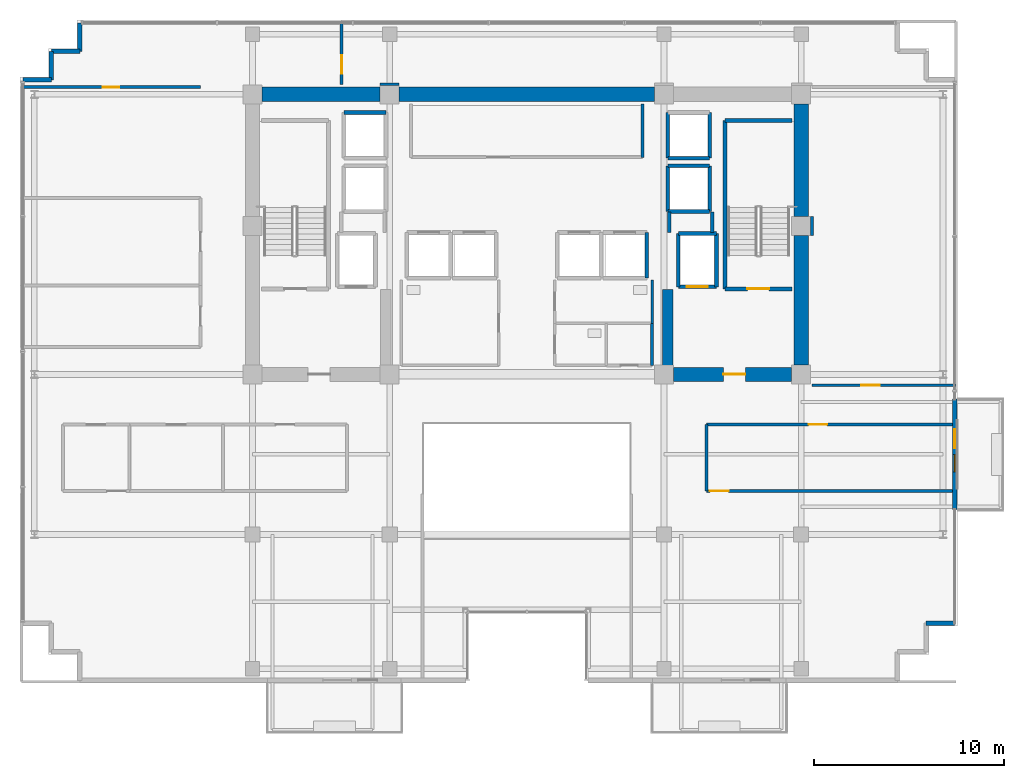
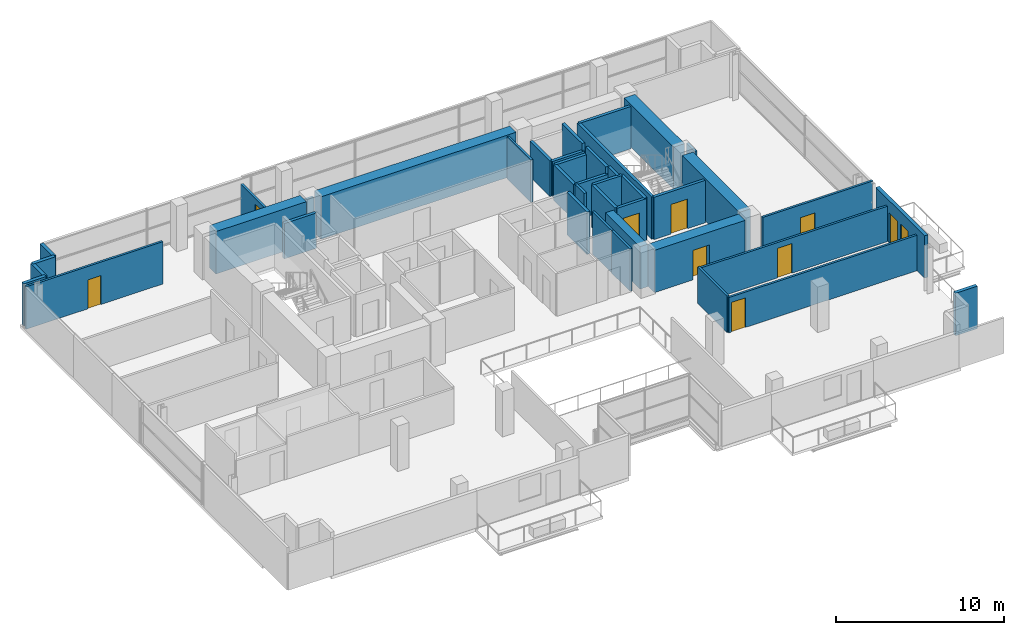
# One storey, part 20 of 25: 41 walls, 9 doors, 1 window, 10 openings.
"""IFC4 building model written with IfcOpenShell, lengths in metres."""

from ifc_helpers import new_model, si_unit, direction, frame, frame_2d, origin, place, context, subcontext, project, spatial, rectangle, extrude, source, transform, mapped, material, layer, layer_set, type_object, element, fill, save


model = new_model("IFC4")

# Units and contexts
model_context = context("Model", 3, precision=1e-05, world=origin(), true_north=direction((0.0, 1.0)))
body_context = subcontext(model_context, "Body", "Model", "MODEL_VIEW")
ifc_project = project(units=[si_unit("LENGTHUNIT", "METRE"), si_unit("AREAUNIT", "SQUARE_METRE"), si_unit("VOLUMEUNIT", "CUBIC_METRE"), si_unit("PLANEANGLEUNIT", "RADIAN"), si_unit("MASSUNIT", "GRAM", prefix="KILO")], contexts=[model_context])

# Site, building, storey
site_placement = place(None, origin())
site = spatial("IfcSite", under=ifc_project, at=site_placement, CompositionType="ELEMENT")
building_placement = place(site_placement, origin())
building = spatial("IfcBuilding", under=site, at=building_placement, Name="Zarnakvel Exchange Tower", CompositionType="ELEMENT")
storey_placement = place(building_placement, frame((0.0, 0.0, 169.300048828125)))
storey = spatial("IfcBuildingStorey", under=building, at=storey_placement, Name="L47", CompositionType="ELEMENT", Elevation=169.300048828125)

# Walls
ifc_material_1 = material(Name="Concrete C60/75", Category="concrete")
ifc_layer_1 = layer(ifc_material_1, 0.75)
ifc_layer_set_1 = layer_set([ifc_layer_1], Name="Concrete C60/75")
wall_type_1 = type_object("IfcWallType", Name="CW-C3", PredefinedType="SHEAR", material=ifc_layer_set_1)
wall_1_placement = place(storey_placement, frame((-13.89990234375, 13.5, 0.0), z_axis=(0.0, 0.0, 1.0), x_axis=(1.0, 0.0, 0.0)))
element("IfcWall", 1, at=wall_1_placement, inside=storey, type_object=wall_type_1, Name="L47 Rear Core Shear Wall N1 (CW-C3)", PredefinedType="SHEAR", context=body_context, shape_type="SweptSolid", body=[
    extrude(rectangle(XDim=6.199951171875, YDim=0.75, at=frame_2d((3.10009765625, 0.0))), origin(), (0.0, 0.0, 1.0), 3.074951171875),
])
wall_2_placement = place(storey_placement, frame((-6.699951171875, 13.5, 0.0), z_axis=(0.0, 0.0, 1.0), x_axis=(1.0, 0.0, 0.0)))
element("IfcWall", 2, at=wall_2_placement, inside=storey, type_object=wall_type_1, Name="L47 Rear Core Shear Wall N2 (CW-C3)", PredefinedType="SHEAR", context=body_context, shape_type="SweptSolid", body=[
    extrude(rectangle(XDim=13.39990234375, YDim=0.75, at=frame_2d((6.699951171875, 0.0))), origin(), (0.0, 0.0, 1.0), 3.074951171875),
])
wall_3_placement = place(storey_placement, frame((14.39990234375, -0.699951171875, 0.0), z_axis=(0.0, 0.0, 1.0), x_axis=(0.0, 1.0, 0.0)))
element("IfcWall", 3, at=wall_3_placement, inside=storey, type_object=wall_type_1, Name="L47 Rear Core Shear Wall E1 (CW-C3)", PredefinedType="SHEAR", context=body_context, shape_type="SweptSolid", body=[
    extrude(rectangle(XDim=6.800048828125, YDim=0.75, at=frame_2d((3.39990234375, 0.0))), origin(), (0.0, 0.0, 1.0), 3.074951171875),
])
wall_4_placement = place(storey_placement, frame((14.39990234375, 7.10009765625, 0.0), z_axis=(0.0, 0.0, 1.0), x_axis=(0.0, 1.0, 0.0)))
element("IfcWall", 4, at=wall_4_placement, inside=storey, type_object=wall_type_1, Name="L47 Rear Core Shear Wall E2 (CW-C3)", PredefinedType="SHEAR", context=body_context, shape_type="SweptSolid", body=[
    extrude(rectangle(XDim=5.89990234375, YDim=0.75, at=frame_2d((2.949951171875, 0.0))), origin(), (0.0, 0.0, 1.0), 3.074951171875),
])

# Wall, opening, door
wall_5_placement = place(storey_placement, frame((13.89990234375, -1.199951171875, 0.0), z_axis=(0.0, 0.0, 1.0), x_axis=(-1.0, 0.0, 0.0)))
wall_5 = element("IfcWall", 5, at=wall_5_placement, inside=storey, type_object=wall_type_1, Name="L47 Rear Core Shear Wall SE (CW-C3)", PredefinedType="SHEAR", context=body_context, shape_type="SweptSolid", body=[
    extrude(rectangle(XDim=6.199951171875, YDim=0.75, at=frame_2d((3.10009765625, 0.0))), origin(), (0.0, 0.0, 1.0), 3.074951171875),
])
opening_1_placement = place(wall_5_placement, frame((2.425048828125, 0.0, 0.0)))
opening_1 = element("IfcOpeningElement", 6, at=opening_1_placement, cuts=wall_5, Name="Opening D-L47-04", PredefinedType="OPENING", context=body_context, shape_type="SweptSolid", body=[
    extrude(rectangle(XDim=1.14990234375, YDim=2.14990234375, at=frame_2d((0.574951171875, 1.074951171875))), frame((0.0, 0.385009765625, 0.0), z_axis=(0.0, -1.0, 0.0), x_axis=(1.0, 0.0, 0.0)), (0.0, 0.0, 1.0), 0.77001953125),
])
ifc_material_2 = material(Name="Painted Galvanised Steel S355", Category="steel")
door_type_1 = type_object("IfcDoorType", Name="DT-04", OperationType="NOTDEFINED", PredefinedType="DOOR", material=ifc_material_2)
shared_shape_1 = source(origin(), body_context, "Body", "SweptSolid", [
    extrude(rectangle(XDim=1.14990234375, YDim=2.14990234375, at=frame_2d((0.574951171875, 1.074951171875))), frame((0.0, 0.02490234375, 0.0), z_axis=(0.0, -1.0, 0.0), x_axis=(1.0, 0.0, 0.0)), (0.0, 0.0, 1.0), 0.050048828125),
])
door_1_placement = place(opening_1_placement, origin())
door_1 = element("IfcDoor", 7, at=door_1_placement, inside=storey, type_object=door_type_1, Name="L47 Firefighting Lobby East Door D-L47-04", OperationType="SINGLE_SWING_LEFT", OverallHeight=2.14990234375, OverallWidth=1.14990234375, PredefinedType="DOOR", context=body_context, shape_type="MappedRepresentation", body=[
    mapped(shared_shape_1, transform((0.0, 0.0, 0.0), x_axis=(1.0, 0.0, 0.0), y_axis=(0.0, 1.0, 0.0), z_axis=(0.0, 0.0, 1.0), scale=1.0)),
])
fill(opening_1, door_1)

# Wall
ifc_layer_2 = layer(ifc_material_1, 0.550048828125)
ifc_layer_set_2 = layer_set([ifc_layer_2], Name="Concrete C60/75")
wall_type_2 = type_object("IfcWallType", Name="CW-C4", PredefinedType="SHEAR", material=ifc_layer_set_2)
wall_6_placement = place(storey_placement, frame((7.39990234375, -0.824951171875, 0.0), z_axis=(0.0, 0.0, 1.0), x_axis=(0.0, 1.0, 0.0)))
element("IfcWall", 8, at=wall_6_placement, inside=storey, type_object=wall_type_2, Name="L47 Rear Core Shear Wall IE (CW-C4)", PredefinedType="SHEAR", context=body_context, shape_type="SweptSolid", body=[
    extrude(rectangle(XDim=4.074951171875, YDim=0.550048828125, at=frame_2d((2.03759765625, 0.0))), origin(), (0.0, 0.0, 1.0), 3.074951171875),
])

# Wall, openings, door, window
ifc_material_3 = material(Name="Precast concrete C40/50", Category="concrete")
ifc_layer_3 = layer(ifc_material_3, 0.239990234375)
ifc_layer_set_3 = layer_set([ifc_layer_3], Name="Precast concrete C40/50")
wall_type_3 = type_object("IfcWallType", Name="EW-02", PredefinedType="SOLIDWALL", material=ifc_layer_set_3)
wall_7_placement = place(storey_placement, frame((22.4599609375, -2.5, 0.0), z_axis=(0.0, 0.0, 1.0), x_axis=(0.0, -1.0, 0.0)))
wall_7 = element("IfcWall", 9, at=wall_7_placement, inside=storey, type_object=wall_type_3, Name="L47 Exterior Precast Spandrel Wall EW-BAL-L47-E (EW-02)", PredefinedType="SOLIDWALL", context=body_context, shape_type="SweptSolid", body=[
    extrude(rectangle(XDim=5.800048828125, YDim=0.239990234375, at=frame_2d((2.89990234375, 0.0))), origin(), (0.0, 0.0, 1.0), 3.074951171875),
])
opening_2_placement = place(wall_7_placement, frame((1.56591796875, 0.0, 0.0)))
opening_2 = element("IfcOpeningElement", 10, at=opening_2_placement, cuts=wall_7, Name="Opening BD-L47-03", PredefinedType="OPENING", context=body_context, shape_type="SweptSolid", body=[
    extrude(rectangle(XDim=1.0, YDim=2.199951171875, at=frame_2d((0.5, 1.10009765625))), frame((0.0, 0.1298828125, 0.0), z_axis=(0.0, -1.0, 0.0), x_axis=(1.0, 0.0, 0.0)), (0.0, 0.0, 1.0), 0.260009765625),
])
opening_3_placement = place(wall_7_placement, frame((2.916015625, 0.0, 0.85009765625)))
opening_3 = element("IfcOpeningElement", 11, at=opening_3_placement, cuts=wall_7, Name="Opening WN-06", PredefinedType="OPENING", context=body_context, shape_type="SweptSolid", body=[
    extrude(rectangle(XDim=0.89990234375, YDim=1.35009765625, at=frame_2d((0.449951171875, 0.675048828125))), frame((0.0, 0.1298828125, 0.0), z_axis=(0.0, -1.0, 0.0), x_axis=(1.0, 0.0, 0.0)), (0.0, 0.0, 1.0), 0.260009765625),
])
ifc_material_4 = material(Name="Architectural Bronze Anodised Aluminium", Category="aluminium")
door_type_2 = type_object("IfcDoorType", Name="DT-09", OperationType="NOTDEFINED", PredefinedType="DOOR", material=ifc_material_4)
shared_shape_2 = source(origin(), body_context, "Body", "SweptSolid", [
    extrude(rectangle(XDim=1.0, YDim=2.199951171875, at=frame_2d((0.5, 1.10009765625))), frame((0.0, 0.02490234375, 0.0), z_axis=(0.0, -1.0, 0.0), x_axis=(1.0, 0.0, 0.0)), (0.0, 0.0, 1.0), 0.050048828125),
])
door_2_placement = place(opening_2_placement, origin())
door_2 = element("IfcDoor", 12, at=door_2_placement, inside=storey, type_object=door_type_2, Name="L47 Planted Loggia Balcony Door BD-L47-03", OperationType="SINGLE_SWING_LEFT", OverallHeight=2.199951171875, OverallWidth=1.0, PredefinedType="DOOR", context=body_context, shape_type="MappedRepresentation", body=[
    mapped(shared_shape_2, transform((0.0, 0.0, 0.0), x_axis=(1.0, 0.0, 0.0), y_axis=(0.0, 1.0, 0.0), z_axis=(0.0, 0.0, 1.0), scale=1.0)),
])
fill(opening_2, door_2)
ifc_material_5 = material(Name="Double Low-E Laminated Vision Glass", Category="glass")
window_type = type_object("IfcWindowType", Name="WN-06", PartitioningType="SINGLE_PANEL", PredefinedType="WINDOW", material=ifc_material_5)
shared_shape_3 = source(origin(), body_context, "Body", "SweptSolid", [
    extrude(rectangle(XDim=0.89990234375, YDim=1.35009765625, at=frame_2d((0.449951171875, 0.675048828125))), frame((0.0, 0.030029296875, 0.0), z_axis=(0.0, -1.0, 0.0), x_axis=(1.0, 0.0, 0.0)), (0.0, 0.0, 1.0), 0.06005859375),
])
window_placement = place(opening_3_placement, origin())
window = element("IfcWindow", 13, at=window_placement, inside=storey, type_object=window_type, Name="L47 Loggia Daylight Window (WN-06)", OverallHeight=1.35009765625, OverallWidth=0.89990234375, PartitioningType="SINGLE_PANEL", PredefinedType="WINDOW", context=body_context, shape_type="MappedRepresentation", body=[
    mapped(shared_shape_3, transform((0.0, 0.0, 0.0), x_axis=(1.0, 0.0, 0.0), y_axis=(0.0, 1.0, 0.0), z_axis=(0.0, 0.0, 1.0), scale=1.0)),
])
fill(opening_3, window)

# Walls
for number, where, z_axis, x_axis, name in (
    (14, (-24.9599609375, 14.260009765625, 0.0), (0.0, 0.0, 1.0), (-1.0, 0.0, 0.0), "L47 Exterior Precast Spandrel Wall EWC-L47-01 (EW-02)"),
    (15, (-24.9599609375, 15.760009765625, 0.0), (0.0, 0.0, 1.0), (0.0, -1.0, 0.0), "L47 Exterior Precast Spandrel Wall EWC-L47-02 (EW-02)"),
    (16, (-23.4599609375, 15.760009765625, 0.0), (0.0, 0.0, 1.0), (-1.0, 0.0, 0.0), "L47 Exterior Precast Spandrel Wall EWC-L47-03 (EW-02)"),
    (17, (-23.4599609375, 17.260009765625, 0.0), (0.0, 0.0, 1.0), (0.0, -1.0, 0.0), "L47 Exterior Precast Spandrel Wall EWC-L47-04 (EW-02)"),
    (18, (20.9599609375, -14.260009765625, 0.0), (0.0, 0.0, 1.0), (1.0, 0.0, 0.0), "L47 Exterior Precast Spandrel Wall EWC-L47-11 (EW-02)"),
):
    element("IfcWall", number, at=place(storey_placement, frame(where, z_axis=z_axis, x_axis=x_axis)), inside=storey, type_object=wall_type_3, Name=name, PredefinedType="SOLIDWALL", context=body_context, shape_type="SweptSolid", body=[
        extrude(rectangle(XDim=1.5, YDim=0.239990234375, at=frame_2d((0.75, 0.0))), origin(), (0.0, 0.0, 1.0), 3.074951171875),
    ])
ifc_material_6 = material(Name="Fire-Rated Gypsum Stud Partition", Category="gypsum")
ifc_layer_4 = layer(ifc_material_6, 0.14990234375)
ifc_layer_set_4 = layer_set([ifc_layer_4], Name="Fire-Rated Gypsum Stud Partition")
wall_type_4 = type_object("IfcWallType", Name="PT-01", PredefinedType="PARTITIONING", material=ifc_layer_set_4)
wall_8_placement = place(storey_placement, frame((6.080078125, 13.0, 0.0), z_axis=(0.0, 0.0, 1.0), x_axis=(0.0, -1.0, 0.0)))
element("IfcWall", 19, at=wall_8_placement, inside=storey, type_object=wall_type_4, Name="L47 Partition Wall PWALL-L47-013 (PT-01)", PredefinedType="PARTITIONING", context=body_context, shape_type="SweptSolid", body=[
    extrude(rectangle(XDim=2.800048828125, YDim=0.14990234375, at=frame_2d((1.39990234375, 0.0))), origin(), (0.0, 0.0, 1.0), 3.074951171875),
])
wall_9_placement = place(storey_placement, frame((6.580078125, 1.47998046875, 0.0), z_axis=(0.0, 0.0, 1.0), x_axis=(0.0, -1.0, 0.0)))
element("IfcWall", 20, at=wall_9_placement, inside=storey, type_object=wall_type_4, Name="L47 Partition Wall PWALL-L47-024 (PT-01)", PredefinedType="PARTITIONING", context=body_context, shape_type="SweptSolid", body=[
    extrude(rectangle(XDim=2.2099609375, YDim=0.14990234375, at=frame_2d((1.10498046875, 0.0))), origin(), (0.0, 0.0, 1.0), 3.074951171875),
])

# Wall, opening, door
wall_10_placement = place(storey_placement, frame((22.530029296875, -7.320068359375, 0.0), z_axis=(0.0, 0.0, 1.0), x_axis=(-1.0, 0.0, 0.0)))
wall_10 = element("IfcWall", 21, at=wall_10_placement, inside=storey, type_object=wall_type_4, Name="L47 Partition Wall PWALL-L47-038 (PT-01)", PredefinedType="PARTITIONING", context=body_context, shape_type="SweptSolid", body=[
    extrude(rectangle(XDim=13.10009765625, YDim=0.14990234375, at=frame_2d((6.550048828125, 0.0))), origin(), (0.0, 0.0, 1.0), 2.56494140625),
])
opening_4_placement = place(wall_10_placement, frame((11.93994140625, 0.0, 0.0)))
opening_4 = element("IfcOpeningElement", 22, at=opening_4_placement, cuts=wall_10, Name="Opening D-L47-15", PredefinedType="OPENING", context=body_context, shape_type="SweptSolid", body=[
    extrude(rectangle(XDim=0.97998046875, YDim=2.14990234375, at=frame_2d((0.489990234375, 1.074951171875))), frame((0.0, 0.0849609375, 0.0), z_axis=(0.0, -1.0, 0.0), x_axis=(1.0, 0.0, 0.0)), (0.0, 0.0, 1.0), 0.169921875),
])
ifc_material_7 = material(Name="Timber Acoustic Veneer", Category="wood")
door_type_3 = type_object("IfcDoorType", Name="DT-05", OperationType="NOTDEFINED", PredefinedType="DOOR", material=ifc_material_7)
shared_shape_4 = source(origin(), body_context, "Body", "SweptSolid", [
    extrude(rectangle(XDim=0.97998046875, YDim=2.14990234375, at=frame_2d((0.489990234375, 1.074951171875))), frame((0.0, 0.02490234375, 0.0), z_axis=(0.0, -1.0, 0.0), x_axis=(1.0, 0.0, 0.0)), (0.0, 0.0, 1.0), 0.050048828125),
])
door_3_placement = place(opening_4_placement, origin())
door_3 = element("IfcDoor", 23, at=door_3_placement, inside=storey, type_object=door_type_3, Name="L47 Quant Research Office Door D-L47-15", OperationType="SINGLE_SWING_RIGHT", OverallHeight=2.14990234375, OverallWidth=0.97998046875, PredefinedType="DOOR", context=body_context, shape_type="MappedRepresentation", body=[
    mapped(shared_shape_4, transform((0.0, 0.0, 0.0), x_axis=(1.0, 0.0, 0.0), y_axis=(0.0, 1.0, 0.0), z_axis=(0.0, 0.0, 1.0), scale=1.0)),
])
fill(opening_4, door_3)

wall_11_placement = place(storey_placement, frame((9.429931640625, -3.830078125, 0.0), z_axis=(0.0, 0.0, 1.0), x_axis=(1.0, 0.0, 0.0)))
wall_11 = element("IfcWall", 24, at=wall_11_placement, inside=storey, type_object=wall_type_4, Name="L47 Partition Wall PWALL-L47-039 (PT-01)", PredefinedType="PARTITIONING", context=body_context, shape_type="SweptSolid", body=[
    extrude(rectangle(XDim=13.10009765625, YDim=0.14990234375, at=frame_2d((6.550048828125, 0.0))), origin(), (0.0, 0.0, 1.0), 2.56494140625),
])
opening_5_placement = place(wall_11_placement, frame((5.360107421875, 0.0, 0.0)))
opening_5 = element("IfcOpeningElement", 25, at=opening_5_placement, cuts=wall_11, Name="Opening D-L47-14", PredefinedType="OPENING", context=body_context, shape_type="SweptSolid", body=[
    extrude(rectangle(XDim=0.97998046875, YDim=2.14990234375, at=frame_2d((0.489990234375, 1.074951171875))), frame((0.0, 0.0849609375, 0.0), z_axis=(0.0, -1.0, 0.0), x_axis=(1.0, 0.0, 0.0)), (0.0, 0.0, 1.0), 0.169921875),
])
door_4_placement = place(opening_5_placement, origin())
door_4 = element("IfcDoor", 26, at=door_4_placement, inside=storey, type_object=door_type_3, Name="L47 Conference Room Door D-L47-14", OperationType="SINGLE_SWING_LEFT", OverallHeight=2.14990234375, OverallWidth=0.97998046875, PredefinedType="DOOR", context=body_context, shape_type="MappedRepresentation", body=[
    mapped(shared_shape_4, transform((0.0, 0.0, 0.0), x_axis=(1.0, 0.0, 0.0), y_axis=(0.0, 1.0, 0.0), z_axis=(0.0, 0.0, 1.0), scale=1.0)),
])
fill(opening_5, door_4)

# Wall
wall_12_placement = place(storey_placement, frame((9.429931640625, -7.320068359375, 0.0), z_axis=(0.0, 0.0, 1.0), x_axis=(0.0, 1.0, 0.0)))
element("IfcWall", 27, at=wall_12_placement, inside=storey, type_object=wall_type_4, Name="L47 Partition Wall PWALL-L47-040 (PT-01)", PredefinedType="PARTITIONING", context=body_context, shape_type="SweptSolid", body=[
    extrude(rectangle(XDim=3.489990234375, YDim=0.14990234375, at=frame_2d((1.7451171875, 0.0))), origin(), (0.0, 0.0, 1.0), 2.6650390625),
])

# Wall, opening, door
wall_13_placement = place(storey_placement, frame((-26.530029296875, 13.8798828125, 0.0), z_axis=(0.0, 0.0, 1.0), x_axis=(1.0, 0.0, 0.0)))
wall_13 = element("IfcWall", 28, at=wall_13_placement, inside=storey, type_object=wall_type_4, Name="L47 Partition Wall PWALL-L47-051 (PT-01)", PredefinedType="PARTITIONING", context=body_context, shape_type="SweptSolid", body=[
    extrude(rectangle(XDim=9.400146484375, YDim=0.14990234375, at=frame_2d((4.7001953125, 0.0))), origin(), (0.0, 0.0, 1.0), 3.074951171875),
])
opening_6_placement = place(wall_13_placement, frame((4.260009765625, 0.0, 0.0)))
opening_6 = element("IfcOpeningElement", 29, at=opening_6_placement, cuts=wall_13, Name="Opening D-L47-20", PredefinedType="OPENING", context=body_context, shape_type="SweptSolid", body=[
    extrude(rectangle(XDim=0.8798828125, YDim=2.10009765625, at=frame_2d((0.43994140625, 1.050048828125))), frame((0.0, 0.0849609375, 0.0), z_axis=(0.0, -1.0, 0.0), x_axis=(1.0, 0.0, 0.0)), (0.0, 0.0, 1.0), 0.169921875),
])
door_type_4 = type_object("IfcDoorType", Name="DT-08", OperationType="NOTDEFINED", PredefinedType="DOOR", material=ifc_material_2)
shared_shape_5 = source(origin(), body_context, "Body", "SweptSolid", [
    extrude(rectangle(XDim=0.8798828125, YDim=2.10009765625, at=frame_2d((0.43994140625, 1.050048828125))), frame((0.0, 0.02490234375, 0.0), z_axis=(0.0, -1.0, 0.0), x_axis=(1.0, 0.0, 0.0)), (0.0, 0.0, 1.0), 0.050048828125),
])
door_5_placement = place(opening_6_placement, origin())
door_5 = element("IfcDoor", 30, at=door_5_placement, inside=storey, type_object=door_type_4, Name="L47 Client Lounge Door D-L47-20", OperationType="SINGLE_SWING_LEFT", OverallHeight=2.10009765625, OverallWidth=0.8798828125, PredefinedType="DOOR", context=body_context, shape_type="MappedRepresentation", body=[
    mapped(shared_shape_5, transform((0.0, 0.0, 0.0), x_axis=(1.0, 0.0, 0.0), y_axis=(0.0, 1.0, 0.0), z_axis=(0.0, 0.0, 1.0), scale=1.0)),
])
fill(opening_6, door_5)

wall_14_placement = place(storey_placement, frame((22.530029296875, -1.77001953125, 0.0), z_axis=(0.0, 0.0, 1.0), x_axis=(-1.0, 0.0, 0.0)))
wall_14 = element("IfcWall", 31, at=wall_14_placement, inside=storey, type_object=wall_type_4, Name="L47 Partition Wall PWALL-L47-053 (PT-01)", PredefinedType="PARTITIONING", context=body_context, shape_type="SweptSolid", body=[
    extrude(rectangle(XDim=7.56005859375, YDim=0.14990234375, at=frame_2d((3.780029296875, 0.0))), origin(), (0.0, 0.0, 1.0), 3.074951171875),
])
opening_7_placement = place(wall_14_placement, frame((3.989990234375, 0.0, 0.0)))
opening_7 = element("IfcOpeningElement", 32, at=opening_7_placement, cuts=wall_14, Name="Opening D-L47-18", PredefinedType="OPENING", context=body_context, shape_type="SweptSolid", body=[
    extrude(rectangle(XDim=0.97998046875, YDim=2.14990234375, at=frame_2d((0.489990234375, 1.074951171875))), frame((0.0, 0.0849609375, 0.0), z_axis=(0.0, -1.0, 0.0), x_axis=(1.0, 0.0, 0.0)), (0.0, 0.0, 1.0), 0.169921875),
])
door_6_placement = place(opening_7_placement, origin())
door_6 = element("IfcDoor", 33, at=door_6_placement, inside=storey, type_object=door_type_3, Name="L47 Staff Pantry Door D-L47-18", OperationType="SINGLE_SWING_LEFT", OverallHeight=2.14990234375, OverallWidth=0.97998046875, PredefinedType="DOOR", context=body_context, shape_type="MappedRepresentation", body=[
    mapped(shared_shape_4, transform((0.0, 0.0, 0.0), x_axis=(1.0, 0.0, 0.0), y_axis=(0.0, 1.0, 0.0), z_axis=(0.0, 0.0, 1.0), scale=1.0)),
])
fill(opening_7, door_6)

# Walls
wall_15_placement = place(storey_placement, frame((14.969970703125, 6.10009765625, 0.0), z_axis=(0.0, 0.0, 1.0), x_axis=(0.0, 1.0, 0.0)))
element("IfcWall", 34, at=wall_15_placement, inside=storey, type_object=wall_type_4, Name="L47 Partition Wall PWALL-L47-055 (PT-01)", PredefinedType="PARTITIONING", context=body_context, shape_type="SweptSolid", body=[
    extrude(rectangle(XDim=1.0, YDim=0.14990234375, at=frame_2d((0.5, 0.0))), origin(), (0.0, 0.0, 1.0), 3.074951171875),
])
wall_16_placement = place(storey_placement, frame((-6.699951171875, 14.030029296875, 0.0), z_axis=(0.0, 0.0, 1.0), x_axis=(-1.0, 0.0, 0.0)))
element("IfcWall", 35, at=wall_16_placement, inside=storey, type_object=wall_type_4, Name="L47 Partition Wall PWALL-L47-056 (PT-01)", PredefinedType="PARTITIONING", context=body_context, shape_type="SweptSolid", body=[
    extrude(rectangle(XDim=1.0, YDim=0.14990234375, at=frame_2d((0.5, 0.0))), origin(), (0.0, 0.0, 1.0), 2.56494140625),
])

# Wall, opening, door
wall_17_placement = place(storey_placement, frame((-9.719970703125, 14.030029296875, 0.0), z_axis=(0.0, 0.0, 1.0), x_axis=(0.0, 1.0, 0.0)))
wall_17 = element("IfcWall", 36, at=wall_17_placement, inside=storey, type_object=wall_type_4, Name="L47 Partition Wall PWALL-L47-060 (PT-01)", PredefinedType="PARTITIONING", context=body_context, shape_type="SweptSolid", body=[
    extrude(rectangle(XDim=3.300048828125, YDim=0.14990234375, at=frame_2d((1.64990234375, 0.0))), origin(), (0.0, 0.0, 1.0), 2.56494140625),
])
opening_8_placement = place(wall_17_placement, frame((0.550048828125, 0.0, 0.0)))
opening_8 = element("IfcOpeningElement", 37, at=opening_8_placement, cuts=wall_17, Name="Opening D-L47-19", PredefinedType="OPENING", context=body_context, shape_type="SweptSolid", body=[
    extrude(rectangle(XDim=0.97998046875, YDim=2.14990234375, at=frame_2d((0.489990234375, 1.074951171875))), frame((0.0, 0.0849609375, 0.0), z_axis=(0.0, -1.0, 0.0), x_axis=(1.0, 0.0, 0.0)), (0.0, 0.0, 1.0), 0.169921875),
])
door_7_placement = place(opening_8_placement, origin())
door_7 = element("IfcDoor", 38, at=door_7_placement, inside=storey, type_object=door_type_3, Name="L47 Compliance Office Door D-L47-19", OperationType="SINGLE_SWING_RIGHT", OverallHeight=2.14990234375, OverallWidth=0.97998046875, PredefinedType="DOOR", context=body_context, shape_type="MappedRepresentation", body=[
    mapped(shared_shape_4, transform((0.0, 0.0, 0.0), x_axis=(1.0, 0.0, 0.0), y_axis=(0.0, 1.0, 0.0), z_axis=(0.0, 0.0, 1.0), scale=1.0)),
])
fill(opening_8, door_7)

# Walls
ifc_layer_5 = layer(ifc_material_6, 0.179931640625)
ifc_layer_set_5 = layer_set([ifc_layer_5], Name="Fire-Rated Gypsum Stud Partition")
wall_type_5 = type_object("IfcWallType", Name="PT-02", PredefinedType="PARTITIONING", material=ifc_layer_set_5)
wall_18_placement = place(storey_placement, frame((7.469970703125, 6.239990234375, 0.0), z_axis=(0.0, 0.0, 1.0), x_axis=(0.0, 1.0, 0.0)))
element("IfcWall", 39, at=wall_18_placement, inside=storey, type_object=wall_type_5, Name="L47 Partition Wall PWALL-L47-009 (PT-02)", PredefinedType="PARTITIONING", context=body_context, shape_type="SweptSolid", body=[
    extrude(rectangle(XDim=1.090087890625, YDim=0.179931640625, at=frame_2d((0.544921875, 0.0))), origin(), (0.0, 0.0, 1.0), 2.56494140625),
])
wall_19_placement = place(storey_placement, frame((9.72998046875, 7.330078125, 0.0), z_axis=(0.0, 0.0, 1.0), x_axis=(0.0, -1.0, 0.0)))
element("IfcWall", 40, at=wall_19_placement, inside=storey, type_object=wall_type_5, Name="L47 Partition Wall PWALL-L47-010 (PT-02)", PredefinedType="PARTITIONING", context=body_context, shape_type="SweptSolid", body=[
    extrude(rectangle(XDim=1.090087890625, YDim=0.179931640625, at=frame_2d((0.544921875, 0.0))), origin(), (0.0, 0.0, 1.0), 3.074951171875),
])
ifc_material_8 = material(Name="Moisture-Resistant Tile-Faced Partition", Category="gypsum")
ifc_layer_6 = layer(ifc_material_8, 0.135009765625)
ifc_layer_set_6 = layer_set([ifc_layer_6], Name="Moisture-Resistant Tile-Faced Partition")
wall_type_6 = type_object("IfcWallType", Name="PT-03", PredefinedType="PARTITIONING", material=ifc_layer_set_6)
wall_20_placement = place(storey_placement, frame((6.580078125, 3.760009765625, 0.0), z_axis=(0.0, 0.0, 1.0), x_axis=(0.0, -1.0, 0.0)))
element("IfcWall", 41, at=wall_20_placement, inside=storey, type_object=wall_type_6, Name="L47 Partition Wall PWALL-L47-019 (PT-03)", PredefinedType="PARTITIONING", context=body_context, shape_type="SweptSolid", body=[
    extrude(rectangle(XDim=2.280029296875, YDim=0.135009765625, at=frame_2d((1.14013671875, 0.0))), origin(), (0.0, 0.0, 1.0), 3.074951171875),
])

# Wall, opening, door
ifc_material_9 = material(Name="Concrete C40/50", Category="concrete")
ifc_layer_7 = layer(ifc_material_9, 0.199951171875)
ifc_layer_set_7 = layer_set([ifc_layer_7], Name="Concrete C40/50")
wall_type_7 = type_object("IfcWallType", Name="SW-01", PredefinedType="SOLIDWALL", material=ifc_layer_set_7)
wall_21_placement = place(storey_placement, frame((9.949951171875, 3.39990234375, 0.0), z_axis=(0.0, 0.0, 1.0), x_axis=(-1.0, 0.0, 0.0)))
wall_21 = element("IfcWall", 42, at=wall_21_placement, inside=storey, type_object=wall_type_7, Name="L47 FL-02 Hoistway Wall South", PredefinedType="SOLIDWALL", context=body_context, shape_type="SweptSolid", body=[
    extrude(rectangle(XDim=2.0, YDim=0.199951171875, at=frame_2d((1.0, 0.0))), origin(), (0.0, 0.0, 1.0), 3.074951171875),
])
opening_9_placement = place(wall_21_placement, frame((0.449951171875, 0.0, 0.0)))
opening_9 = element("IfcOpeningElement", 43, at=opening_9_placement, cuts=wall_21, Name="Opening LD-FL-02-L47", PredefinedType="OPENING", context=body_context, shape_type="SweptSolid", body=[
    extrude(rectangle(XDim=1.10009765625, YDim=2.199951171875, at=frame_2d((0.550048828125, 1.10009765625))), frame((0.0, 0.10986328125, 0.0), z_axis=(0.0, -1.0, 0.0), x_axis=(1.0, 0.0, 0.0)), (0.0, 0.0, 1.0), 0.219970703125),
])
ifc_material_10 = material(Name="Brushed Stainless Steel", Category="steel")
door_type_5 = type_object("IfcDoorType", Name="LDT-01", OperationType="NOTDEFINED", PredefinedType="DOOR", material=ifc_material_10)
shared_shape_6 = source(origin(), body_context, "Body", "SweptSolid", [
    extrude(rectangle(XDim=1.10009765625, YDim=2.199951171875, at=frame_2d((0.550048828125, 1.10009765625))), frame((0.0, 0.02490234375, 0.0), z_axis=(0.0, -1.0, 0.0), x_axis=(1.0, 0.0, 0.0)), (0.0, 0.0, 1.0), 0.050048828125),
])
door_8_placement = place(opening_9_placement, origin())
door_8 = element("IfcDoor", 44, at=door_8_placement, inside=storey, type_object=door_type_5, Name="L47 FL-02 Lift Landing Door LD-FL-02-L47", OperationType="DOUBLE_DOOR_SLIDING", OverallHeight=2.199951171875, OverallWidth=1.10009765625, PredefinedType="DOOR", context=body_context, shape_type="MappedRepresentation", body=[
    mapped(shared_shape_6, transform((0.0, 0.0, 0.0), x_axis=(1.0, 0.0, 0.0), y_axis=(0.0, 1.0, 0.0), z_axis=(0.0, 0.0, 1.0), scale=1.0)),
])
fill(opening_9, door_8)

# Walls
wall_22_placement = place(storey_placement, frame((7.949951171875, 6.199951171875, 0.0), z_axis=(0.0, 0.0, 1.0), x_axis=(1.0, 0.0, 0.0)))
element("IfcWall", 45, at=wall_22_placement, inside=storey, type_object=wall_type_7, Name="L47 FL-02 Hoistway Wall North", PredefinedType="SOLIDWALL", context=body_context, shape_type="SweptSolid", body=[
    extrude(rectangle(XDim=2.0, YDim=0.199951171875, at=frame_2d((1.0, 0.0))), origin(), (0.0, 0.0, 1.0), 3.074951171875),
])
for number, where, z_axis, x_axis, name in (
    (46, (7.949951171875, 3.39990234375, 0.0), (0.0, 0.0, 1.0), (0.0, 1.0, 0.0), "L47 FL-02 Hoistway Wall West"),
    (47, (9.949951171875, 6.199951171875, 0.0), (0.0, 0.0, 1.0), (0.0, -1.0, 0.0), "L47 FL-02 Hoistway Wall East"),
):
    element("IfcWall", number, at=place(storey_placement, frame(where, z_axis=z_axis, x_axis=x_axis)), inside=storey, type_object=wall_type_7, Name=name, PredefinedType="SOLIDWALL", context=body_context, shape_type="SweptSolid", body=[
        extrude(rectangle(XDim=2.800048828125, YDim=0.199951171875, at=frame_2d((1.39990234375, 0.0))), origin(), (0.0, 0.0, 1.0), 3.074951171875),
    ])
wall_23_placement = place(storey_placement, frame((6.300048828125, 6.25, 0.0), z_axis=(0.0, 0.0, 1.0), x_axis=(0.0, -1.0, 0.0)))
element("IfcWall", 48, at=wall_23_placement, inside=storey, type_object=wall_type_7, Name="L47 PL-08 Hoistway Wall East", PredefinedType="SOLIDWALL", context=body_context, shape_type="SweptSolid", body=[
    extrude(rectangle(XDim=2.39990234375, YDim=0.199951171875, at=frame_2d((1.199951171875, 0.0))), origin(), (0.0, 0.0, 1.0), 3.074951171875),
])
for number, where, z_axis, x_axis, name in (
    (49, (-9.60009765625, 12.550048828125, 0.0), (0.0, 0.0, 1.0), (1.0, 0.0, 0.0), "L47 PL-10 Hoistway Wall North"),
    (50, (9.60009765625, 7.35009765625, 0.0), (0.0, 0.0, 1.0), (-1.0, 0.0, 0.0), "L47 PL-11 Hoistway Wall South"),
    (51, (7.39990234375, 9.75, 0.0), (0.0, 0.0, 1.0), (1.0, 0.0, 0.0), "L47 PL-11 Hoistway Wall North"),
):
    element("IfcWall", number, at=place(storey_placement, frame(where, z_axis=z_axis, x_axis=x_axis)), inside=storey, type_object=wall_type_7, Name=name, PredefinedType="SOLIDWALL", context=body_context, shape_type="SweptSolid", body=[
        extrude(rectangle(XDim=2.2001953125, YDim=0.199951171875, at=frame_2d((1.10009765625, 0.0))), origin(), (0.0, 0.0, 1.0), 2.56494140625),
    ])
wall_24_placement = place(storey_placement, frame((7.39990234375, 7.35009765625, 0.0), z_axis=(0.0, 0.0, 1.0), x_axis=(0.0, 1.0, 0.0)))
element("IfcWall", 52, at=wall_24_placement, inside=storey, type_object=wall_type_7, Name="L47 PL-11 Hoistway Wall West", PredefinedType="SOLIDWALL", context=body_context, shape_type="SweptSolid", body=[
    extrude(rectangle(XDim=2.39990234375, YDim=0.199951171875, at=frame_2d((1.199951171875, 0.0))), origin(), (0.0, 0.0, 1.0), 2.56494140625),
])
wall_25_placement = place(storey_placement, frame((9.60009765625, 9.75, 0.0), z_axis=(0.0, 0.0, 1.0), x_axis=(0.0, -1.0, 0.0)))
element("IfcWall", 53, at=wall_25_placement, inside=storey, type_object=wall_type_7, Name="L47 PL-11 Hoistway Wall East", PredefinedType="SOLIDWALL", context=body_context, shape_type="SweptSolid", body=[
    extrude(rectangle(XDim=2.39990234375, YDim=0.199951171875, at=frame_2d((1.199951171875, 0.0))), origin(), (0.0, 0.0, 1.0), 3.074951171875),
])
wall_26_placement = place(storey_placement, frame((9.60009765625, 10.14990234375, 0.0), z_axis=(0.0, 0.0, 1.0), x_axis=(-1.0, 0.0, 0.0)))
element("IfcWall", 54, at=wall_26_placement, inside=storey, type_object=wall_type_7, Name="L47 PL-12 Hoistway Wall South", PredefinedType="SOLIDWALL", context=body_context, shape_type="SweptSolid", body=[
    extrude(rectangle(XDim=2.2001953125, YDim=0.199951171875, at=frame_2d((1.10009765625, 0.0))), origin(), (0.0, 0.0, 1.0), 2.56494140625),
])
wall_27_placement = place(storey_placement, frame((7.39990234375, 10.14990234375, 0.0), z_axis=(0.0, 0.0, 1.0), x_axis=(0.0, 1.0, 0.0)))
element("IfcWall", 55, at=wall_27_placement, inside=storey, type_object=wall_type_7, Name="L47 PL-12 Hoistway Wall West", PredefinedType="SOLIDWALL", context=body_context, shape_type="SweptSolid", body=[
    extrude(rectangle(XDim=2.400146484375, YDim=0.199951171875, at=frame_2d((1.2001953125, 0.0))), origin(), (0.0, 0.0, 1.0), 2.56494140625),
])
wall_28_placement = place(storey_placement, frame((9.60009765625, 12.550048828125, 0.0), z_axis=(0.0, 0.0, 1.0), x_axis=(0.0, -1.0, 0.0)))
element("IfcWall", 56, at=wall_28_placement, inside=storey, type_object=wall_type_7, Name="L47 PL-12 Hoistway Wall East", PredefinedType="SOLIDWALL", context=body_context, shape_type="SweptSolid", body=[
    extrude(rectangle(XDim=2.400146484375, YDim=0.199951171875, at=frame_2d((1.2001953125, 0.0))), origin(), (0.0, 0.0, 1.0), 3.074951171875),
])

# Wall, opening, door
ifc_layer_8 = layer(ifc_material_9, 0.199951171875)
ifc_layer_set_8 = layer_set([ifc_layer_8], Name="Concrete C40/50")
wall_type_8 = type_object("IfcWallType", Name="SW-02", PredefinedType="SOLIDWALL", material=ifc_layer_set_8)
wall_29_placement = place(storey_placement, frame((13.929931640625, 3.2900390625, 0.0), z_axis=(0.0, 0.0, 1.0), x_axis=(-1.0, 0.0, 0.0)))
wall_29 = element("IfcWall", 57, at=wall_29_placement, inside=storey, type_object=wall_type_8, Name="L47 Stairwell Core Wall PWALL-L47-004 (SW-02)", PredefinedType="SOLIDWALL", context=body_context, shape_type="SweptSolid", body=[
    extrude(rectangle(XDim=3.52001953125, YDim=0.199951171875, at=frame_2d((1.760009765625, 0.0))), origin(), (0.0, 0.0, 1.0), 3.074951171875),
])
opening_10_placement = place(wall_29_placement, frame((1.205078125, 0.0, 0.0)))
opening_10 = element("IfcOpeningElement", 58, at=opening_10_placement, cuts=wall_29, Name="Opening D-L47-02", PredefinedType="OPENING", context=body_context, shape_type="SweptSolid", body=[
    extrude(rectangle(XDim=1.14990234375, YDim=2.14990234375, at=frame_2d((0.574951171875, 1.074951171875))), frame((0.0, 0.10986328125, 0.0), z_axis=(0.0, -1.0, 0.0), x_axis=(1.0, 0.0, 0.0)), (0.0, 0.0, 1.0), 0.219970703125),
])
door_9_placement = place(opening_10_placement, origin())
door_9 = element("IfcDoor", 59, at=door_9_placement, inside=storey, type_object=door_type_1, Name="L47 Stairwell ST-02 Door D-L47-02", OperationType="SINGLE_SWING_LEFT", OverallHeight=2.14990234375, OverallWidth=1.14990234375, PredefinedType="DOOR", context=body_context, shape_type="MappedRepresentation", body=[
    mapped(shared_shape_1, transform((0.0, 0.0, 0.0), x_axis=(1.0, 0.0, 0.0), y_axis=(0.0, 1.0, 0.0), z_axis=(0.0, 0.0, 1.0), scale=1.0)),
])
fill(opening_10, door_9)

# Walls
wall_30_placement = place(storey_placement, frame((10.409912109375, 12.1298828125, 0.0), z_axis=(0.0, 0.0, 1.0), x_axis=(1.0, 0.0, 0.0)))
element("IfcWall", 60, at=wall_30_placement, inside=storey, type_object=wall_type_8, Name="L47 Stairwell Core Wall PWALL-L47-005 (SW-02)", PredefinedType="SOLIDWALL", context=body_context, shape_type="SweptSolid", body=[
    extrude(rectangle(XDim=3.52001953125, YDim=0.199951171875, at=frame_2d((1.760009765625, 0.0))), origin(), (0.0, 0.0, 1.0), 3.074951171875),
])
wall_31_placement = place(storey_placement, frame((10.409912109375, 3.2900390625, 0.0), z_axis=(0.0, 0.0, 1.0), x_axis=(0.0, 1.0, 0.0)))
element("IfcWall", 61, at=wall_31_placement, inside=storey, type_object=wall_type_8, Name="L47 Stairwell Core Wall PWALL-L47-006 (SW-02)", PredefinedType="SOLIDWALL", context=body_context, shape_type="SweptSolid", body=[
    extrude(rectangle(XDim=8.83984375, YDim=0.199951171875, at=frame_2d((4.419921875, 0.0))), origin(), (0.0, 0.0, 1.0), 3.074951171875),
])

save(model, "model.ifc")
